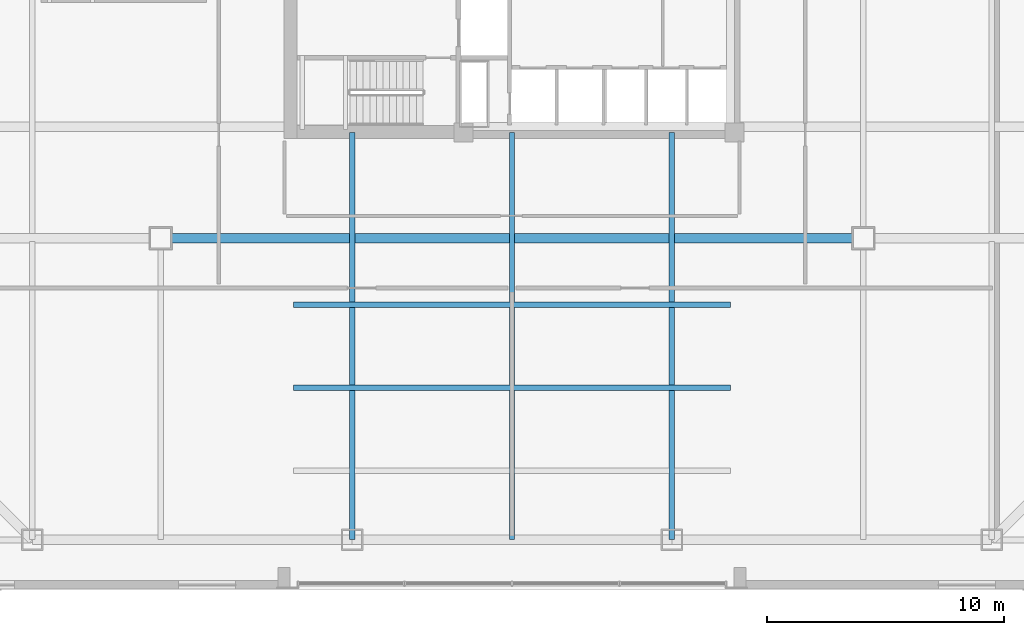
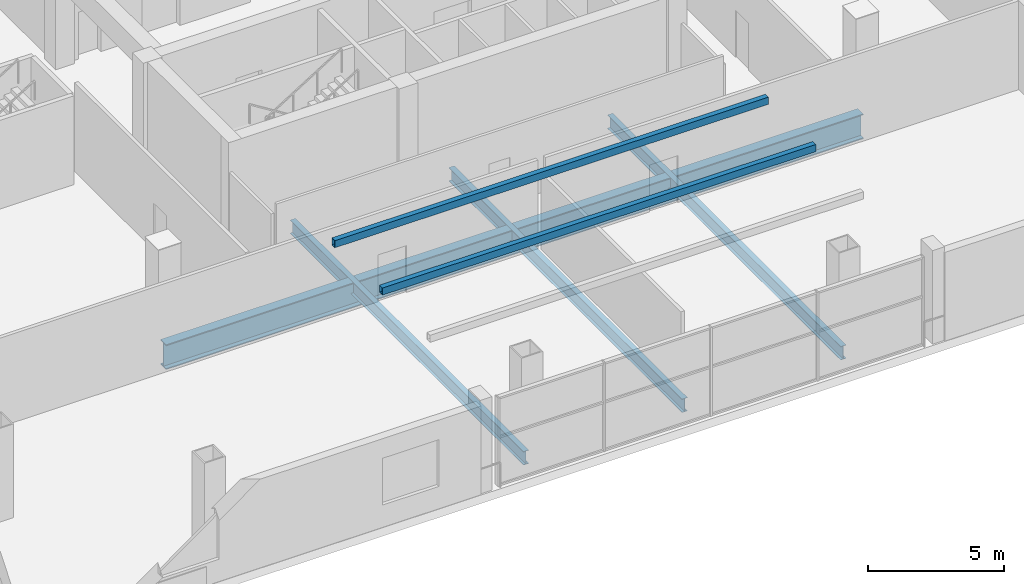
# One storey, part 5 of 21: 4 beams, 2 members.
"""IFC4 building model written with IfcOpenShell, lengths in metres."""

from ifc_helpers import new_model, si_unit, direction, frame, origin, origin_2d, place, context, subcontext, project, spatial, hollow_rectangle, i_section, extrude, material, material_profile, profile_set, type_object, element, save


model = new_model("IFC4")

# Units and contexts
model_context = context("Model", 3, precision=1e-05, world=origin(), true_north=direction((0.0, 1.0)))
body_context = subcontext(model_context, "Body", "Model", "MODEL_VIEW")
ifc_project = project(units=[si_unit("LENGTHUNIT", "METRE"), si_unit("AREAUNIT", "SQUARE_METRE"), si_unit("VOLUMEUNIT", "CUBIC_METRE"), si_unit("PLANEANGLEUNIT", "RADIAN"), si_unit("MASSUNIT", "GRAM", prefix="KILO")], contexts=[model_context])

# Site, building, storey
site_placement = place(None, origin())
site = spatial("IfcSite", under=ifc_project, at=site_placement, CompositionType="ELEMENT")
building_placement = place(site_placement, origin())
building = spatial("IfcBuilding", under=site, at=building_placement, Name="Qhalaya Broadcast Tower", CompositionType="ELEMENT")
storey_placement = place(building_placement, frame((0.0, 0.0, 21.89990234375)))
storey = spatial("IfcBuildingStorey", under=building, at=storey_placement, Name="L05", CompositionType="ELEMENT", Elevation=21.89990234375)

# Beams
ifc_material_1 = material(Name="Structural Steel ASTM A992 Grade 50", Category="steel")
ifc_material_profile_1 = material_profile(ifc_material_1, i_section(OverallWidth=0.22802734375, OverallDepth=0.60693359375, WebThickness=0.01123046875, FlangeThickness=0.017333984375, at=origin_2d()), Name="W24X76")
ifc_profile_set_1 = profile_set([ifc_material_profile_1], Name="Structural Steel ASTM A992 Grade 50")
beam_type_1 = type_object("IfcBeamType", Name="Composite Floor Joist J01", PredefinedType="JOIST", material=ifc_profile_set_1)
for number, where, z_axis, x_axis, name in (
    (1, (-6.7333984375, -25.89990234375, -0.683349609375), (0.0, 1.0, 0.0), (-1.0, 0.0, 0.0), "L05 J01 L05-JS-CS-6.7"),
    (2, (0.0, -25.89990234375, -0.683349609375), (0.0, 1.0, 0.0), (-1.0, 0.0, 0.0), "L05 J01 L05-JS-CS+0.0"),
    (3, (6.7333984375, -25.89990234375, -0.683349609375), (0.0, 1.0, 0.0), (-1.0, 0.0, 0.0), "L05 J01 L05-JS-CS+6.7"),
):
    element("IfcBeam", number, at=place(storey_placement, frame(where, z_axis=z_axis, x_axis=x_axis)), inside=storey, type_object=beam_type_1, Name=name, PredefinedType="JOIST", context=body_context, shape_type="SweptSolid", body=[
        extrude(i_section(OverallWidth=0.22802734375, OverallDepth=0.60693359375, WebThickness=0.01123046875, FlangeThickness=0.017333984375, at=origin_2d()), origin(), (0.0, 0.0, 1.0), 17.14990234375),
    ])

# Members
ifc_material_2 = material(Name="Structural Steel ASTM A572 Grade 50", Category="steel")
ifc_material_profile_2 = material_profile(ifc_material_2, hollow_rectangle(XDim=0.219970703125, YDim=0.320068359375, WallThickness=0.01611328125, at=origin_2d()), Name="HSS 220x320x16")
ifc_profile_set_2 = profile_set([ifc_material_profile_2], Name="Structural Steel ASTM A572 Grade 50")
member_type = type_object("IfcMemberType", Name="Concourse & Lookout Canopy Purlin PR1", PredefinedType="PURLIN", material=ifc_profile_set_2)
for number, where, z_axis, x_axis, name in (
    (4, (-9.199951171875, -19.5, 3.815185546875), (1.0, 0.0, 0.0), (0.0, 1.0, 0.0), "Concourse Skylight Purlin PR-02"),
    (5, (-9.199951171875, -16.0, 3.815185546875), (1.0, 0.0, 0.0), (0.0, 1.0, 0.0), "Concourse Skylight Purlin PR-03"),
):
    element("IfcMember", number, at=place(storey_placement, frame(where, z_axis=z_axis, x_axis=x_axis)), inside=storey, type_object=member_type, Name=name, PredefinedType="PURLIN", context=body_context, shape_type="SweptSolid", body=[
        extrude(hollow_rectangle(XDim=0.219970703125, YDim=0.320068359375, WallThickness=0.01611328125, at=origin_2d()), origin(), (0.0, 0.0, 1.0), 18.39990234375),
    ])

# Beam
ifc_material_profile_3 = material_profile(ifc_material_1, i_section(OverallWidth=0.404052734375, OverallDepth=1.117919921875, WebThickness=0.026123046875, FlangeThickness=0.044921875, at=origin_2d()), Name="W44X335")
ifc_profile_set_3 = profile_set([ifc_material_profile_3], Name="Structural Steel ASTM A992 Grade 50")
beam_type_2 = type_object("IfcBeamType", Name="Podium Long-Span Primary Girder PG1", PredefinedType="USERDEFINED", material=ifc_profile_set_3)
beam_placement = place(storey_placement, frame((-14.800048828125, -13.199951171875, -0.93896484375), z_axis=(1.0, 0.0, 0.0), x_axis=(0.0, 1.0, 0.0)))
element("IfcBeam", 6, at=beam_placement, inside=storey, type_object=beam_type_2, Name="L05 PG1 L05-PG-GS3", ObjectType="GIRDER", PredefinedType="USERDEFINED", context=body_context, shape_type="SweptSolid", body=[
    extrude(i_section(OverallWidth=0.404052734375, OverallDepth=1.117919921875, WebThickness=0.026123046875, FlangeThickness=0.044921875, at=origin_2d()), origin(), (0.0, 0.0, 1.0), 29.60009765625),
])

save(model, "model.ifc")
